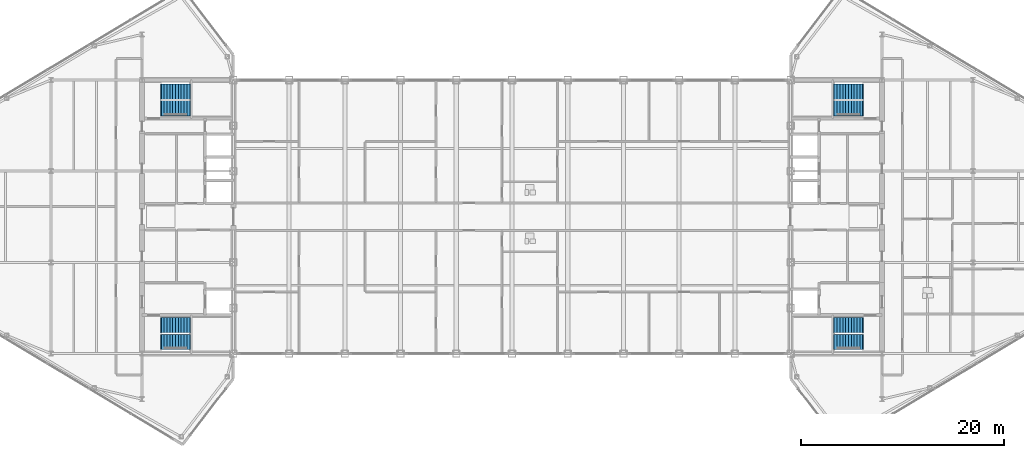
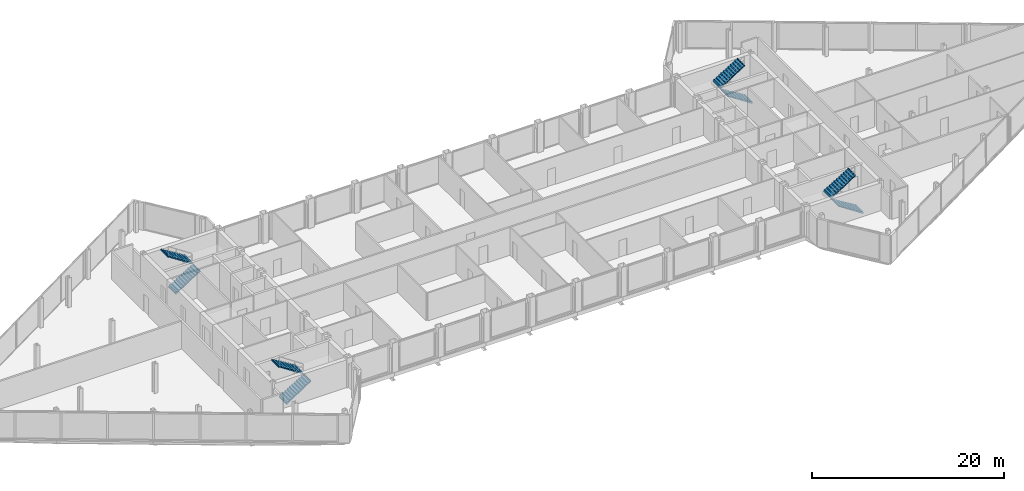
# One storey, part 26 of 28: 8 stair flights, 4 elements without a shape of their own.
"""IFC4 building model written with IfcOpenShell, lengths in metres."""

from ifc_helpers import new_model, si_unit, direction, frame, origin, place, context, subcontext, project, spatial, polyline, outline, extrude, material, type_object, element, aggregate, save


model = new_model("IFC4")

# Units and contexts
model_context = context("Model", 3, precision=1e-05, world=origin(), true_north=direction((0.0, 1.0)))
body_context = subcontext(model_context, "Body", "Model", "MODEL_VIEW")
ifc_project = project(units=[si_unit("LENGTHUNIT", "METRE"), si_unit("AREAUNIT", "SQUARE_METRE"), si_unit("VOLUMEUNIT", "CUBIC_METRE"), si_unit("PLANEANGLEUNIT", "RADIAN"), si_unit("MASSUNIT", "GRAM", prefix="KILO")], contexts=[model_context])

# Site, building, storey
site_placement = place(None, origin())
site = spatial("IfcSite", under=ifc_project, at=site_placement, CompositionType="ELEMENT")
building_placement = place(site_placement, origin())
building = spatial("IfcBuilding", under=site, at=building_placement, Name="Seokmaru Belvedere", CompositionType="ELEMENT")
storey_placement = place(building_placement, frame((0.0, 0.0, 261.89990234375)))
storey = spatial("IfcBuildingStorey", under=building, at=storey_placement, Name="L69", CompositionType="ELEMENT", Elevation=261.89990234375)

# Stair, stair flights
ifc_material = material(Name="Concrete C40 (40 MPa)", Category="concrete")
stair_type = type_object("IfcStairType", Name="Sky-Gate Residential Core Dog-Leg Stair 3750", PredefinedType="TWO_STRAIGHT_RUN_STAIR", material=ifc_material)
stair_1_placement = place(storey_placement, origin())
stair_1 = element("IfcStair", 1, at=stair_1_placement, inside=storey, type_object=stair_type, Name="L69 Special Escape Stair ST-W1", PredefinedType="TWO_STRAIGHT_RUN_STAIR")
stair_flight_type = type_object("IfcStairFlightType", Name="Reinforced Concrete Stair Flight 1500", PredefinedType="STRAIGHT", material=ifc_material)
stair_flight_1_placement = place(storey_placement, frame((-34.60009765625, -12.35009765625, 0.0), z_axis=(0.0, 0.0, 1.0), x_axis=(1.0, 0.0, 0.0)))
stair_flight_1 = element("IfcStairFlight", 2, at=stair_flight_1_placement, type_object=stair_flight_type, Name="ST-W1 flight 1", NumberOfRisers=11, NumberOfTreads=10, PredefinedType="STRAIGHT", RiserHeight=0.170454545, TreadLength=0.28, context=body_context, shape_type="SweptSolid", body=[
    extrude(outline(polyline([(-0.080078125, 0.0), (0.0, 0.17041015625), (0.280029296875, 0.17041015625), (0.280029296875, 0.3408203125), (0.56005859375, 0.3408203125), (0.56005859375, 0.511474609375), (0.840087890625, 0.511474609375), (0.840087890625, 0.681884765625), (1.1201171875, 0.681884765625), (1.1201171875, 0.852294921875), (1.39990234375, 0.852294921875), (1.39990234375, 1.022705078125), (1.679931640625, 1.022705078125), (1.679931640625, 1.193115234375), (1.9599609375, 1.193115234375), (1.9599609375, 1.363525390625), (2.239990234375, 1.363525390625), (2.239990234375, 1.5341796875), (2.52001953125, 1.5341796875), (2.52001953125, 1.70458984375), (2.800048828125, 1.70458984375), (2.800048828125, 1.875), (2.8798828125, 1.875), (2.8798828125, 1.68505859375), (2.800048828125, 1.68505859375), (0.0, -0.159912109375), (-0.080078125, -0.159912109375), (-0.080078125, 0.0)])), frame((0.0, 0.75, 0.0), z_axis=(0.0, -1.0, 0.0), x_axis=(1.0, 0.0, 0.0)), (0.0, 0.0, 1.0), 1.5),
])
stair_flight_2_placement = place(storey_placement, frame((-31.800048828125, -10.7099609375, 1.875), z_axis=(0.0, 0.0, 1.0), x_axis=(-1.0, 0.0, 0.0)))
stair_flight_2 = element("IfcStairFlight", 3, at=stair_flight_2_placement, type_object=stair_flight_type, Name="ST-W1 flight 2", NumberOfRisers=11, NumberOfTreads=10, PredefinedType="STRAIGHT", RiserHeight=0.170454545, TreadLength=0.28, context=body_context, shape_type="SweptSolid", body=[
    extrude(outline(polyline([(-0.080078125, 0.0), (0.0, 0.17041015625), (0.280029296875, 0.17041015625), (0.280029296875, 0.3408203125), (0.56005859375, 0.3408203125), (0.56005859375, 0.511474609375), (0.840087890625, 0.511474609375), (0.840087890625, 0.681884765625), (1.1201171875, 0.681884765625), (1.1201171875, 0.852294921875), (1.39990234375, 0.852294921875), (1.39990234375, 1.022705078125), (1.679931640625, 1.022705078125), (1.679931640625, 1.193115234375), (1.9599609375, 1.193115234375), (1.9599609375, 1.363525390625), (2.239990234375, 1.363525390625), (2.239990234375, 1.5341796875), (2.52001953125, 1.5341796875), (2.52001953125, 1.70458984375), (2.800048828125, 1.70458984375), (2.800048828125, 1.875), (2.8798828125, 1.875), (2.8798828125, 1.68505859375), (2.800048828125, 1.68505859375), (0.0, -0.159912109375), (-0.080078125, -0.159912109375), (-0.080078125, 0.0)])), frame((0.0, 0.75, 0.0), z_axis=(0.0, -1.0, 0.0), x_axis=(1.0, 0.0, 0.0)), (0.0, 0.0, 1.0), 1.5),
])
aggregate(stair_1, [stair_flight_1, stair_flight_2])

stair_2_placement = place(storey_placement, origin())
stair_2 = element("IfcStair", 4, at=stair_2_placement, inside=storey, type_object=stair_type, Name="L69 Special Escape Stair ST-W2", PredefinedType="TWO_STRAIGHT_RUN_STAIR")
stair_flight_3_placement = place(storey_placement, frame((-34.60009765625, 10.7099609375, 0.0), z_axis=(0.0, 0.0, 1.0), x_axis=(1.0, 0.0, 0.0)))
stair_flight_3 = element("IfcStairFlight", 5, at=stair_flight_3_placement, type_object=stair_flight_type, Name="ST-W2 flight 1", NumberOfRisers=11, NumberOfTreads=10, PredefinedType="STRAIGHT", RiserHeight=0.170454545, TreadLength=0.28, context=body_context, shape_type="SweptSolid", body=[
    extrude(outline(polyline([(-0.080078125, 0.0), (0.0, 0.17041015625), (0.280029296875, 0.17041015625), (0.280029296875, 0.3408203125), (0.56005859375, 0.3408203125), (0.56005859375, 0.511474609375), (0.840087890625, 0.511474609375), (0.840087890625, 0.681884765625), (1.1201171875, 0.681884765625), (1.1201171875, 0.852294921875), (1.39990234375, 0.852294921875), (1.39990234375, 1.022705078125), (1.679931640625, 1.022705078125), (1.679931640625, 1.193115234375), (1.9599609375, 1.193115234375), (1.9599609375, 1.363525390625), (2.239990234375, 1.363525390625), (2.239990234375, 1.5341796875), (2.52001953125, 1.5341796875), (2.52001953125, 1.70458984375), (2.800048828125, 1.70458984375), (2.800048828125, 1.875), (2.8798828125, 1.875), (2.8798828125, 1.68505859375), (2.800048828125, 1.68505859375), (0.0, -0.159912109375), (-0.080078125, -0.159912109375), (-0.080078125, 0.0)])), frame((0.0, 0.75, 0.0), z_axis=(0.0, -1.0, 0.0), x_axis=(1.0, 0.0, 0.0)), (0.0, 0.0, 1.0), 1.5),
])
stair_flight_4_placement = place(storey_placement, frame((-31.800048828125, 12.35009765625, 1.875), z_axis=(0.0, 0.0, 1.0), x_axis=(-1.0, 0.0, 0.0)))
stair_flight_4 = element("IfcStairFlight", 6, at=stair_flight_4_placement, type_object=stair_flight_type, Name="ST-W2 flight 2", NumberOfRisers=11, NumberOfTreads=10, PredefinedType="STRAIGHT", RiserHeight=0.170454545, TreadLength=0.28, context=body_context, shape_type="SweptSolid", body=[
    extrude(outline(polyline([(-0.080078125, 0.0), (0.0, 0.17041015625), (0.280029296875, 0.17041015625), (0.280029296875, 0.3408203125), (0.56005859375, 0.3408203125), (0.56005859375, 0.511474609375), (0.840087890625, 0.511474609375), (0.840087890625, 0.681884765625), (1.1201171875, 0.681884765625), (1.1201171875, 0.852294921875), (1.39990234375, 0.852294921875), (1.39990234375, 1.022705078125), (1.679931640625, 1.022705078125), (1.679931640625, 1.193115234375), (1.9599609375, 1.193115234375), (1.9599609375, 1.363525390625), (2.239990234375, 1.363525390625), (2.239990234375, 1.5341796875), (2.52001953125, 1.5341796875), (2.52001953125, 1.70458984375), (2.800048828125, 1.70458984375), (2.800048828125, 1.875), (2.8798828125, 1.875), (2.8798828125, 1.68505859375), (2.800048828125, 1.68505859375), (0.0, -0.159912109375), (-0.080078125, -0.159912109375), (-0.080078125, 0.0)])), frame((0.0, 0.75, 0.0), z_axis=(0.0, -1.0, 0.0), x_axis=(1.0, 0.0, 0.0)), (0.0, 0.0, 1.0), 1.5),
])
aggregate(stair_2, [stair_flight_3, stair_flight_4])

stair_3_placement = place(storey_placement, origin())
stair_3 = element("IfcStair", 7, at=stair_3_placement, inside=storey, type_object=stair_type, Name="L69 Special Escape Stair ST-E1", PredefinedType="TWO_STRAIGHT_RUN_STAIR")
stair_flight_5_placement = place(storey_placement, frame((34.60009765625, -12.35009765625, 0.0), z_axis=(0.0, 0.0, 1.0), x_axis=(-1.0, 0.0, 0.0)))
stair_flight_5 = element("IfcStairFlight", 8, at=stair_flight_5_placement, type_object=stair_flight_type, Name="ST-E1 flight 1", NumberOfRisers=11, NumberOfTreads=10, PredefinedType="STRAIGHT", RiserHeight=0.170454545, TreadLength=0.28, context=body_context, shape_type="SweptSolid", body=[
    extrude(outline(polyline([(-0.080078125, 0.0), (0.0, 0.17041015625), (0.280029296875, 0.17041015625), (0.280029296875, 0.3408203125), (0.56005859375, 0.3408203125), (0.56005859375, 0.511474609375), (0.840087890625, 0.511474609375), (0.840087890625, 0.681884765625), (1.1201171875, 0.681884765625), (1.1201171875, 0.852294921875), (1.39990234375, 0.852294921875), (1.39990234375, 1.022705078125), (1.679931640625, 1.022705078125), (1.679931640625, 1.193115234375), (1.9599609375, 1.193115234375), (1.9599609375, 1.363525390625), (2.239990234375, 1.363525390625), (2.239990234375, 1.5341796875), (2.52001953125, 1.5341796875), (2.52001953125, 1.70458984375), (2.800048828125, 1.70458984375), (2.800048828125, 1.875), (2.8798828125, 1.875), (2.8798828125, 1.68505859375), (2.800048828125, 1.68505859375), (0.0, -0.159912109375), (-0.080078125, -0.159912109375), (-0.080078125, 0.0)])), frame((0.0, 0.75, 0.0), z_axis=(0.0, -1.0, 0.0), x_axis=(1.0, 0.0, 0.0)), (0.0, 0.0, 1.0), 1.5),
])
stair_flight_6_placement = place(storey_placement, frame((31.800048828125, -10.7099609375, 1.875), z_axis=(0.0, 0.0, 1.0), x_axis=(1.0, 0.0, 0.0)))
stair_flight_6 = element("IfcStairFlight", 9, at=stair_flight_6_placement, type_object=stair_flight_type, Name="ST-E1 flight 2", NumberOfRisers=11, NumberOfTreads=10, PredefinedType="STRAIGHT", RiserHeight=0.170454545, TreadLength=0.28, context=body_context, shape_type="SweptSolid", body=[
    extrude(outline(polyline([(-0.080078125, 0.0), (0.0, 0.17041015625), (0.280029296875, 0.17041015625), (0.280029296875, 0.3408203125), (0.56005859375, 0.3408203125), (0.56005859375, 0.511474609375), (0.840087890625, 0.511474609375), (0.840087890625, 0.681884765625), (1.1201171875, 0.681884765625), (1.1201171875, 0.852294921875), (1.39990234375, 0.852294921875), (1.39990234375, 1.022705078125), (1.679931640625, 1.022705078125), (1.679931640625, 1.193115234375), (1.9599609375, 1.193115234375), (1.9599609375, 1.363525390625), (2.239990234375, 1.363525390625), (2.239990234375, 1.5341796875), (2.52001953125, 1.5341796875), (2.52001953125, 1.70458984375), (2.800048828125, 1.70458984375), (2.800048828125, 1.875), (2.8798828125, 1.875), (2.8798828125, 1.68505859375), (2.800048828125, 1.68505859375), (0.0, -0.159912109375), (-0.080078125, -0.159912109375), (-0.080078125, 0.0)])), frame((0.0, 0.75, 0.0), z_axis=(0.0, -1.0, 0.0), x_axis=(1.0, 0.0, 0.0)), (0.0, 0.0, 1.0), 1.5),
])
aggregate(stair_3, [stair_flight_5, stair_flight_6])

stair_4_placement = place(storey_placement, origin())
stair_4 = element("IfcStair", 10, at=stair_4_placement, inside=storey, type_object=stair_type, Name="L69 Special Escape Stair ST-E2", PredefinedType="TWO_STRAIGHT_RUN_STAIR")
stair_flight_7_placement = place(storey_placement, frame((34.60009765625, 10.7099609375, 0.0), z_axis=(0.0, 0.0, 1.0), x_axis=(-1.0, 0.0, 0.0)))
stair_flight_7 = element("IfcStairFlight", 11, at=stair_flight_7_placement, type_object=stair_flight_type, Name="ST-E2 flight 1", NumberOfRisers=11, NumberOfTreads=10, PredefinedType="STRAIGHT", RiserHeight=0.170454545, TreadLength=0.28, context=body_context, shape_type="SweptSolid", body=[
    extrude(outline(polyline([(-0.080078125, 0.0), (0.0, 0.17041015625), (0.280029296875, 0.17041015625), (0.280029296875, 0.3408203125), (0.56005859375, 0.3408203125), (0.56005859375, 0.511474609375), (0.840087890625, 0.511474609375), (0.840087890625, 0.681884765625), (1.1201171875, 0.681884765625), (1.1201171875, 0.852294921875), (1.39990234375, 0.852294921875), (1.39990234375, 1.022705078125), (1.679931640625, 1.022705078125), (1.679931640625, 1.193115234375), (1.9599609375, 1.193115234375), (1.9599609375, 1.363525390625), (2.239990234375, 1.363525390625), (2.239990234375, 1.5341796875), (2.52001953125, 1.5341796875), (2.52001953125, 1.70458984375), (2.800048828125, 1.70458984375), (2.800048828125, 1.875), (2.8798828125, 1.875), (2.8798828125, 1.68505859375), (2.800048828125, 1.68505859375), (0.0, -0.159912109375), (-0.080078125, -0.159912109375), (-0.080078125, 0.0)])), frame((0.0, 0.75, 0.0), z_axis=(0.0, -1.0, 0.0), x_axis=(1.0, 0.0, 0.0)), (0.0, 0.0, 1.0), 1.5),
])
stair_flight_8_placement = place(storey_placement, frame((31.800048828125, 12.35009765625, 1.875), z_axis=(0.0, 0.0, 1.0), x_axis=(1.0, 0.0, 0.0)))
stair_flight_8 = element("IfcStairFlight", 12, at=stair_flight_8_placement, type_object=stair_flight_type, Name="ST-E2 flight 2", NumberOfRisers=11, NumberOfTreads=10, PredefinedType="STRAIGHT", RiserHeight=0.170454545, TreadLength=0.28, context=body_context, shape_type="SweptSolid", body=[
    extrude(outline(polyline([(-0.080078125, 0.0), (0.0, 0.17041015625), (0.280029296875, 0.17041015625), (0.280029296875, 0.3408203125), (0.56005859375, 0.3408203125), (0.56005859375, 0.511474609375), (0.840087890625, 0.511474609375), (0.840087890625, 0.681884765625), (1.1201171875, 0.681884765625), (1.1201171875, 0.852294921875), (1.39990234375, 0.852294921875), (1.39990234375, 1.022705078125), (1.679931640625, 1.022705078125), (1.679931640625, 1.193115234375), (1.9599609375, 1.193115234375), (1.9599609375, 1.363525390625), (2.239990234375, 1.363525390625), (2.239990234375, 1.5341796875), (2.52001953125, 1.5341796875), (2.52001953125, 1.70458984375), (2.800048828125, 1.70458984375), (2.800048828125, 1.875), (2.8798828125, 1.875), (2.8798828125, 1.68505859375), (2.800048828125, 1.68505859375), (0.0, -0.159912109375), (-0.080078125, -0.159912109375), (-0.080078125, 0.0)])), frame((0.0, 0.75, 0.0), z_axis=(0.0, -1.0, 0.0), x_axis=(1.0, 0.0, 0.0)), (0.0, 0.0, 1.0), 1.5),
])
aggregate(stair_4, [stair_flight_7, stair_flight_8])

save(model, "model.ifc")
